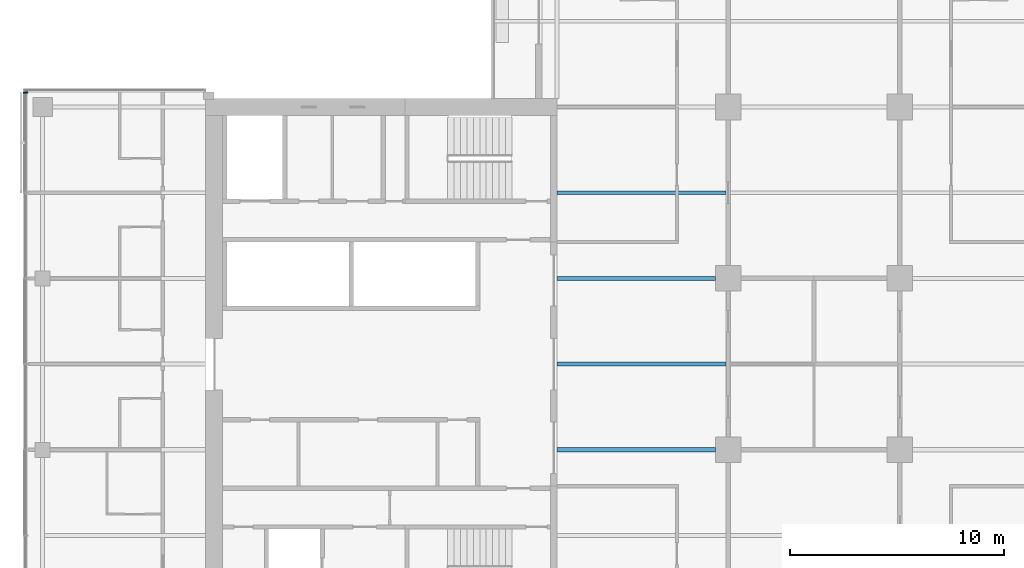
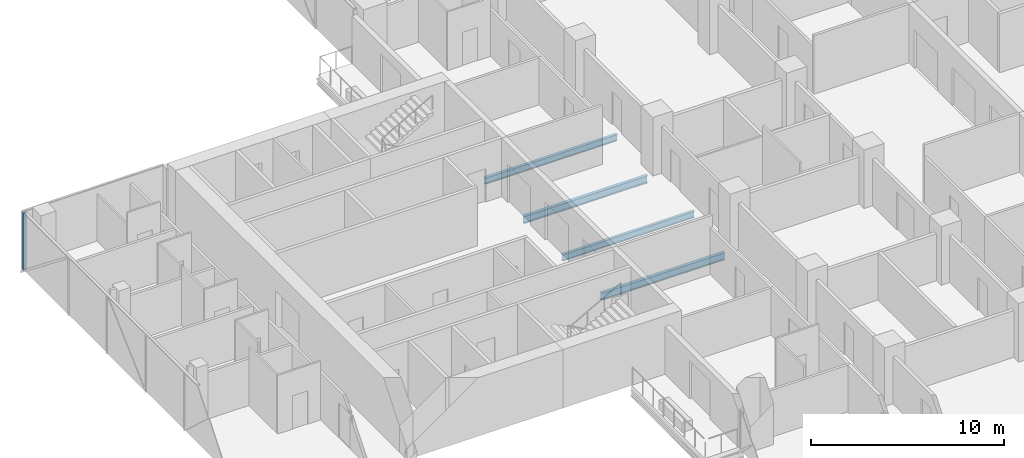
# One storey, part 7 of 27: 4 beams, 1 member, 1 element without a shape of its own.
"""IFC4 building model written with IfcOpenShell, lengths in metres."""

from ifc_helpers import new_model, si_unit, direction, frame, origin, origin_2d, place, context, subcontext, project, spatial, rectangle, i_section, extrude, material, material_profile, profile_set, type_object, element, aggregate, save


model = new_model("IFC4")

# Units and contexts
model_context = context("Model", 3, precision=1e-05, world=origin(), true_north=direction((0.0, 1.0)))
body_context = subcontext(model_context, "Body", "Model", "MODEL_VIEW")
ifc_project = project(units=[si_unit("LENGTHUNIT", "METRE"), si_unit("AREAUNIT", "SQUARE_METRE"), si_unit("VOLUMEUNIT", "CUBIC_METRE"), si_unit("PLANEANGLEUNIT", "RADIAN"), si_unit("MASSUNIT", "GRAM", prefix="KILO")], contexts=[model_context])

# Site, building, storey
site_placement = place(None, origin())
site = spatial("IfcSite", under=ifc_project, at=site_placement, CompositionType="ELEMENT")
building_placement = place(site_placement, origin())
building = spatial("IfcBuilding", under=site, at=building_placement, Name="Crosswind Convention Tower", CompositionType="ELEMENT")
storey_placement = place(building_placement, frame((0.0, 0.0, 90.5)))
storey = spatial("IfcBuildingStorey", under=building, at=storey_placement, Name="L17", CompositionType="ELEMENT", Elevation=90.5)

# Beams
ifc_material_1 = material(Name="Steel S355", Category="steel")
ifc_material_profile_1 = material_profile(ifc_material_1, i_section(OverallWidth=0.19189453125, OverallDepth=0.463623046875, WebThickness=0.010498046875, FlangeThickness=0.017578125, FilletRadius=0.01025390625, at=origin_2d()), Name="UB 457x191x90")
ifc_profile_set_1 = profile_set([ifc_material_profile_1], Name="Steel S355")
beam_type_1 = type_object("IfcBeamType", Name="Girder at core wall UB 457x191x90", PredefinedType="BEAM", material=ifc_profile_set_1)
for number, where, z_axis, x_axis, name in (
    (1, (113.0, 96.0, -0.51171875), (1.0, 0.0, 0.0), (0.0, 1.0, 0.0), "B24 L17 girder at core wall 4"),
    (2, (113.0, 104.0, -0.51171875), (1.0, 0.0, 0.0), (0.0, 1.0, 0.0), "B24 L17 girder at core wall 5"),
):
    element("IfcBeam", number, at=place(storey_placement, frame(where, z_axis=z_axis, x_axis=x_axis)), inside=storey, type_object=beam_type_1, Name=name, PredefinedType="BEAM", context=body_context, shape_type="SweptSolid", body=[
        extrude(i_section(OverallWidth=0.19189453125, OverallDepth=0.463623046875, WebThickness=0.010498046875, FlangeThickness=0.017578125, FilletRadius=0.01025390625, at=origin_2d()), origin(), (0.0, 0.0, 1.0), 7.39990234375),
    ])

# Curtain wall, member
ifc_material_2 = material(Name="Aluminium unitised curtain wall", Category="aluminium")
curtain_wall_type = type_object("IfcCurtainWallType", Name="HOTEL UNITISED WALL 200", PredefinedType="USERDEFINED", material=ifc_material_2)
curtain_wall_placement = place(storey_placement, origin())
curtain_wall = element("IfcCurtainWall", 3, at=curtain_wall_placement, inside=storey, type_object=curtain_wall_type, Name="CW2 L17 W-TIP 1", ObjectType="UNITISED", PredefinedType="USERDEFINED")
ifc_material_3 = material(Name="Aluminium mullion", Category="aluminium")
ifc_material_profile_2 = material_profile(ifc_material_3, rectangle(XDim=0.199951171875, YDim=0.06494140625, at=origin_2d()), Name="AL 200X65")
ifc_profile_set_2 = profile_set([ifc_material_profile_2], Name="Aluminium mullion")
member_type = type_object("IfcMemberType", Name="MULLION 65X200", PredefinedType="MULLION", material=ifc_profile_set_2)
member_placement = place(storey_placement, frame((88.199951171875, 112.66748046875, -0.280029296875), z_axis=(0.0, 0.0, 1.0), x_axis=(-1.0, 0.0, 0.0)))
member = element("IfcMember", 4, at=member_placement, type_object=member_type, Name="CW2 mullion 1", PredefinedType="MULLION", context=body_context, shape_type="SweptSolid", body=[
    extrude(rectangle(XDim=0.199951171875, YDim=0.06494140625, at=origin_2d()), origin(), (0.0, 0.0, 1.0), 3.635009765625),
])
aggregate(curtain_wall, [member])

# Beams
ifc_material_profile_3 = material_profile(ifc_material_1, i_section(OverallWidth=0.177734375, OverallDepth=0.406494140625, WebThickness=0.0078125, FlangeThickness=0.0126953125, FilletRadius=0.01025390625, at=origin_2d()), Name="UB 406x178x60")
ifc_profile_set_3 = profile_set([ifc_material_profile_3], Name="Steel S355")
beam_type_2 = type_object("IfcBeamType", Name="Secondary beam UB 406x178x60", PredefinedType="JOIST", material=ifc_profile_set_3)
for number, where, z_axis, x_axis, name in (
    (5, (113.0, 100.0, -0.483154296875), (1.0, 0.0, 0.0), (0.0, 1.0, 0.0), "B10 L17 secondary beam 5"),
    (6, (113.0, 108.0, -0.483154296875), (1.0, 0.0, 0.0), (0.0, 1.0, 0.0), "B10 L17 secondary beam 6"),
):
    element("IfcBeam", number, at=place(storey_placement, frame(where, z_axis=z_axis, x_axis=x_axis)), inside=storey, type_object=beam_type_2, Name=name, PredefinedType="JOIST", context=body_context, shape_type="SweptSolid", body=[
        extrude(i_section(OverallWidth=0.177734375, OverallDepth=0.406494140625, WebThickness=0.0078125, FlangeThickness=0.0126953125, FilletRadius=0.01025390625, at=origin_2d()), origin(), (0.0, 0.0, 1.0), 7.904296875),
    ])

save(model, "model.ifc")
